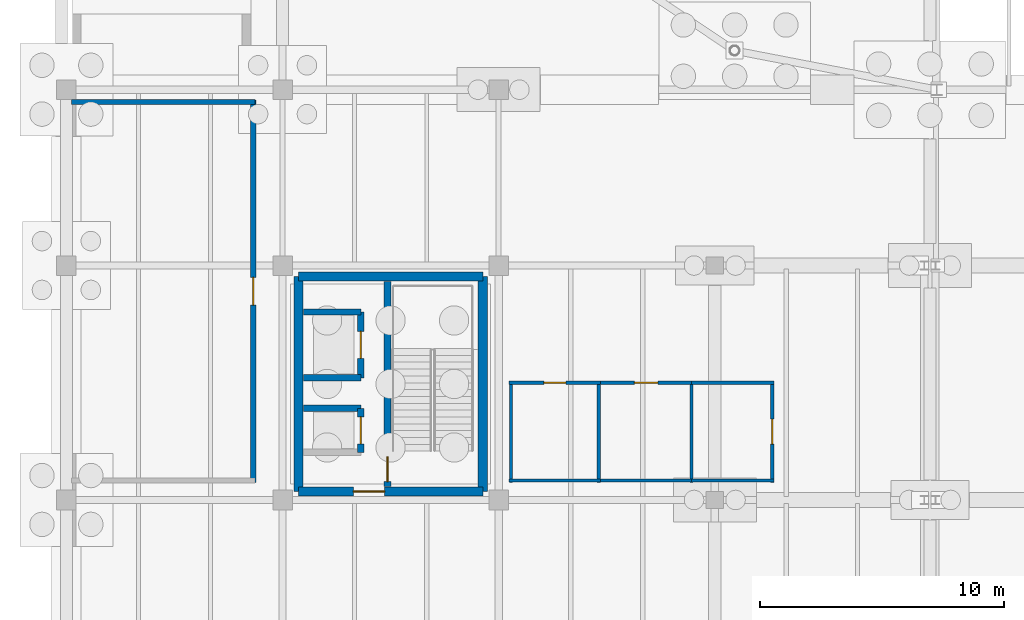
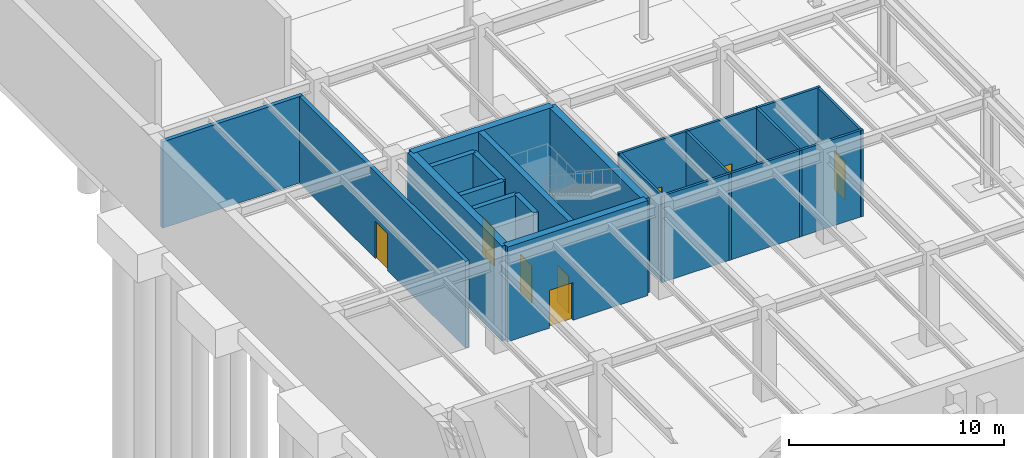
# One storey, part 41 of 50: 22 walls, 8 doors, 8 openings.
"""IFC4 building model written with IfcOpenShell, lengths in metres."""

from ifc_helpers import new_model, si_unit, direction, frame, frame_2d, origin, place, context, subcontext, project, spatial, rectangle, extrude, material, layer, layer_set, type_object, element, fill, save


model = new_model("IFC4")

# Units and contexts
model_context = context("Model", 3, precision=1e-05, world=origin(), true_north=direction((0.0, 1.0)))
body_context = subcontext(model_context, "Body", "Model", "MODEL_VIEW")
ifc_project = project(units=[si_unit("LENGTHUNIT", "METRE"), si_unit("AREAUNIT", "SQUARE_METRE"), si_unit("VOLUMEUNIT", "CUBIC_METRE"), si_unit("PLANEANGLEUNIT", "RADIAN"), si_unit("MASSUNIT", "GRAM", prefix="KILO")], contexts=[model_context])

# Site, building, storey
site_placement = place(None, origin())
site = spatial("IfcSite", under=ifc_project, at=site_placement, CompositionType="ELEMENT")
building_placement = place(site_placement, origin())
building = spatial("IfcBuilding", under=site, at=building_placement, Name="Yeouljin Market Hall", CompositionType="ELEMENT")
storey_placement = place(building_placement, frame((0.0, 0.0, -5.39990234375)))
storey = spatial("IfcBuildingStorey", under=building, at=storey_placement, Name="B1", CompositionType="ELEMENT", Elevation=-5.39990234375)

# Wall, opening, door
ifc_material_1 = material(Name="Gypsum Board Fire Partition")
ifc_layer_1 = layer(ifc_material_1, 0.2099609375)
ifc_layer_set_1 = layer_set([ifc_layer_1], Name="Gypsum Board Fire Partition")
wall_type_1 = type_object("IfcWallType", Name="Part_FireCorridor_210", PredefinedType="PARTITIONING", material=ifc_layer_set_1)
wall_1_placement = place(storey_placement, frame((7.64990234375, 19.919921875, 0.0), z_axis=(0.0, 0.0, 1.0), x_axis=(0.0, 1.0, 0.0)))
wall_1 = element("IfcWall", 1, at=wall_1_placement, inside=storey, type_object=wall_type_1, Name="Interior partition PART-B1-0023", PredefinedType="PARTITIONING", context=body_context, shape_type="SweptSolid", body=[
    extrude(rectangle(XDim=15.66015625, YDim=0.2099609375, at=frame_2d((7.830078125, 0.0))), origin(), (0.0, 0.0, 1.0), 4.919921875),
])
opening_1_placement = place(wall_1_placement, frame((7.260009765625, 0.0, 0.0)))
opening_1 = element("IfcOpeningElement", 2, at=opening_1_placement, cuts=wall_1, Name="Opening D-B1-008", PredefinedType="OPENING", context=body_context, shape_type="SweptSolid", body=[
    extrude(rectangle(XDim=1.139892578125, YDim=2.10009765625, at=frame_2d((0.56982421875, 1.050048828125))), frame((0.0, 0.114990234375, 0.0), z_axis=(0.0, -1.0, 0.0), x_axis=(1.0, 0.0, 0.0)), (0.0, 0.0, 1.0), 0.22998046875),
])
ifc_material_2 = material(Name="Painted Fire-Rated Steel", Category="steel")
door_type_1 = type_object("IfcDoorType", Name="DT-FD114", OperationType="NOTDEFINED", PredefinedType="DOOR", material=ifc_material_2)
door_1_placement = place(opening_1_placement, origin())
door_1 = element("IfcDoor", 3, at=door_1_placement, inside=storey, type_object=door_type_1, Name="Interior door D-B1-008 (Mechanical Pump and Cistern Room)", OperationType="SINGLE_SWING_RIGHT", OverallHeight=2.10009765625, OverallWidth=1.139892578125, PredefinedType="DOOR", context=body_context, shape_type="SweptSolid", body=[
    extrude(rectangle(XDim=1.139892578125, YDim=2.10009765625, at=frame_2d((0.56982421875, 1.050048828125))), frame((0.0, 0.02490234375, 0.0), z_axis=(0.0, -1.0, 0.0), x_axis=(1.0, 0.0, 0.0)), (0.0, 0.0, 1.0), 0.050048828125),
])
fill(opening_1, door_1)

# Wall
wall_2_placement = place(storey_placement, frame((7.72998046875, 35.5, 0.0), z_axis=(0.0, 0.0, 1.0), x_axis=(-1.0, 0.0, 0.0)))
element("IfcWall", 4, at=wall_2_placement, inside=storey, type_object=wall_type_1, Name="Interior partition PART-B1-0025", PredefinedType="PARTITIONING", context=body_context, shape_type="SweptSolid", body=[
    extrude(rectangle(XDim=7.530029296875, YDim=0.2099609375, at=frame_2d((3.76513671875, 0.0))), origin(), (0.0, 0.0, 1.0), 4.919921875),
])

# Wall, opening, door
ifc_material_3 = material(Name="Moisture-Resistant Gypsum Partition")
ifc_layer_2 = layer(ifc_material_3, 0.1298828125)
ifc_layer_set_2 = layer_set([ifc_layer_2], Name="Moisture-Resistant Gypsum Partition")
wall_type_2 = type_object("IfcWallType", Name="Part_Sanitary_130", PredefinedType="PARTITIONING", material=ifc_layer_set_2)
wall_3_placement = place(storey_placement, frame((21.8798828125, 24.0, 0.0), z_axis=(0.0, 0.0, 1.0), x_axis=(-1.0, 0.0, 0.0)))
wall_3 = element("IfcWall", 5, at=wall_3_placement, inside=storey, type_object=wall_type_2, Name="Interior partition PART-B1-0001", PredefinedType="PARTITIONING", context=body_context, shape_type="SweptSolid", body=[
    extrude(rectangle(XDim=3.759765625, YDim=0.1298828125, at=frame_2d((1.8798828125, 0.0))), origin(), (0.0, 0.0, 1.0), 4.919921875),
])
opening_2_placement = place(wall_3_placement, frame((1.429931640625, 0.0, 0.0)))
opening_2 = element("IfcOpeningElement", 6, at=opening_2_placement, cuts=wall_3, Name="Opening D-B1-001", PredefinedType="OPENING", context=body_context, shape_type="SweptSolid", body=[
    extrude(rectangle(XDim=0.89990234375, YDim=2.219970703125, at=frame_2d((0.449951171875, 1.10986328125))), frame((0.0, 0.074951171875, 0.0), z_axis=(0.0, -1.0, 0.0), x_axis=(1.0, 0.0, 0.0)), (0.0, 0.0, 1.0), 0.14990234375),
])
ifc_material_4 = material(Name="Acoustic Timber Veneer", Category="wood")
door_type_2 = type_object("IfcDoorType", Name="DT-ID090H", OperationType="NOTDEFINED", PredefinedType="DOOR", material=ifc_material_4)
door_2_placement = place(opening_2_placement, origin())
door_2 = element("IfcDoor", 7, at=door_2_placement, inside=storey, type_object=door_type_2, Name="Interior door D-B1-001 (Male WC)", OperationType="SINGLE_SWING_LEFT", OverallHeight=2.219970703125, OverallWidth=0.89990234375, PredefinedType="DOOR", context=body_context, shape_type="SweptSolid", body=[
    extrude(rectangle(XDim=0.89990234375, YDim=2.219970703125, at=frame_2d((0.449951171875, 1.10986328125))), frame((0.0, 0.02490234375, 0.0), z_axis=(0.0, -1.0, 0.0), x_axis=(1.0, 0.0, 0.0)), (0.0, 0.0, 1.0), 0.050048828125),
])
fill(opening_2, door_2)

# Walls
wall_4_placement = place(storey_placement, frame((18.1201171875, 20.0, 0.0), z_axis=(0.0, 0.0, 1.0), x_axis=(1.0, 0.0, 0.0)))
element("IfcWall", 8, at=wall_4_placement, inside=storey, type_object=wall_type_2, Name="Interior partition PART-B1-0002", PredefinedType="PARTITIONING", context=body_context, shape_type="SweptSolid", body=[
    extrude(rectangle(XDim=3.759765625, YDim=0.1298828125, at=frame_2d((1.8798828125, 0.0))), origin(), (0.0, 0.0, 1.0), 4.919921875),
])
for number, where, z_axis, x_axis, name in (
    (9, (21.800048828125, 19.919921875, 0.0), (0.0, 0.0, 1.0), (0.0, 1.0, 0.0), "Interior partition PART-B1-0003"),
    (10, (18.199951171875, 24.080078125, 0.0), (0.0, 0.0, 1.0), (0.0, -1.0, 0.0), "Interior partition PART-B1-0004"),
):
    element("IfcWall", number, at=place(storey_placement, frame(where, z_axis=z_axis, x_axis=x_axis)), inside=storey, type_object=wall_type_2, Name=name, PredefinedType="PARTITIONING", context=body_context, shape_type="SweptSolid", body=[
        extrude(rectangle(XDim=4.16015625, YDim=0.1298828125, at=frame_2d((2.080078125, 0.0))), origin(), (0.0, 0.0, 1.0), 4.919921875),
    ])

# Wall, opening, door
wall_5_placement = place(storey_placement, frame((25.679931640625, 24.0, 0.0), z_axis=(0.0, 0.0, 1.0), x_axis=(-1.0, 0.0, 0.0)))
wall_5 = element("IfcWall", 11, at=wall_5_placement, inside=storey, type_object=wall_type_2, Name="Interior partition PART-B1-0005", PredefinedType="PARTITIONING", context=body_context, shape_type="SweptSolid", body=[
    extrude(rectangle(XDim=3.8798828125, YDim=0.1298828125, at=frame_2d((1.93994140625, 0.0))), origin(), (0.0, 0.0, 1.0), 4.919921875),
])
opening_3_placement = place(wall_5_placement, frame((1.4599609375, 0.0, 0.0)))
opening_3 = element("IfcOpeningElement", 12, at=opening_3_placement, cuts=wall_5, Name="Opening D-B1-002", PredefinedType="OPENING", context=body_context, shape_type="SweptSolid", body=[
    extrude(rectangle(XDim=0.9599609375, YDim=2.219970703125, at=frame_2d((0.47998046875, 1.10986328125))), frame((0.0, 0.074951171875, 0.0), z_axis=(0.0, -1.0, 0.0), x_axis=(1.0, 0.0, 0.0)), (0.0, 0.0, 1.0), 0.14990234375),
])
ifc_material_5 = material(Name="Acoustic Timber Veneer", Category="wood")
door_type_3 = type_object("IfcDoorType", Name="DT-ID096H", OperationType="NOTDEFINED", PredefinedType="DOOR", material=ifc_material_5)
door_3_placement = place(opening_3_placement, origin())
door_3 = element("IfcDoor", 13, at=door_3_placement, inside=storey, type_object=door_type_3, Name="Interior door D-B1-002 (Female WC)", OperationType="SINGLE_SWING_RIGHT", OverallHeight=2.219970703125, OverallWidth=0.9599609375, PredefinedType="DOOR", context=body_context, shape_type="SweptSolid", body=[
    extrude(rectangle(XDim=0.9599609375, YDim=2.219970703125, at=frame_2d((0.47998046875, 1.10986328125))), frame((0.0, 0.02490234375, 0.0), z_axis=(0.0, -1.0, 0.0), x_axis=(1.0, 0.0, 0.0)), (0.0, 0.0, 1.0), 0.050048828125),
])
fill(opening_3, door_3)

# Walls
wall_6_placement = place(storey_placement, frame((21.800048828125, 20.0, 0.0), z_axis=(0.0, 0.0, 1.0), x_axis=(1.0, 0.0, 0.0)))
element("IfcWall", 14, at=wall_6_placement, inside=storey, type_object=wall_type_2, Name="Interior partition PART-B1-0006", PredefinedType="PARTITIONING", context=body_context, shape_type="SweptSolid", body=[
    extrude(rectangle(XDim=3.8798828125, YDim=0.1298828125, at=frame_2d((1.93994140625, 0.0))), origin(), (0.0, 0.0, 1.0), 4.919921875),
])
wall_7_placement = place(storey_placement, frame((25.60009765625, 19.919921875, 0.0), z_axis=(0.0, 0.0, 1.0), x_axis=(0.0, 1.0, 0.0)))
element("IfcWall", 15, at=wall_7_placement, inside=storey, type_object=wall_type_2, Name="Interior partition PART-B1-0007", PredefinedType="PARTITIONING", context=body_context, shape_type="SweptSolid", body=[
    extrude(rectangle(XDim=4.16015625, YDim=0.1298828125, at=frame_2d((2.080078125, 0.0))), origin(), (0.0, 0.0, 1.0), 4.919921875),
])

# Wall, opening, door
wall_8_placement = place(storey_placement, frame((28.89990234375, 19.919921875, 0.0), z_axis=(0.0, 0.0, 1.0), x_axis=(0.0, 1.0, 0.0)))
wall_8 = element("IfcWall", 16, at=wall_8_placement, inside=storey, type_object=wall_type_2, Name="Interior partition PART-B1-0008", PredefinedType="PARTITIONING", context=body_context, shape_type="SweptSolid", body=[
    extrude(rectangle(XDim=4.16015625, YDim=0.1298828125, at=frame_2d((2.080078125, 0.0))), origin(), (0.0, 0.0, 1.0), 4.919921875),
])
opening_4_placement = place(wall_8_placement, frame((1.570068359375, 0.0, 0.0)))
opening_4 = element("IfcOpeningElement", 17, at=opening_4_placement, cuts=wall_8, Name="Opening D-B1-003", PredefinedType="OPENING", context=body_context, shape_type="SweptSolid", body=[
    extrude(rectangle(XDim=1.02001953125, YDim=2.219970703125, at=frame_2d((0.510009765625, 1.10986328125))), frame((0.0, 0.074951171875, 0.0), z_axis=(0.0, -1.0, 0.0), x_axis=(1.0, 0.0, 0.0)), (0.0, 0.0, 1.0), 0.14990234375),
])
ifc_material_6 = material(Name="Acoustic Timber Veneer", Category="wood")
door_type_4 = type_object("IfcDoorType", Name="DT-ID102H", OperationType="NOTDEFINED", PredefinedType="DOOR", material=ifc_material_6)
door_4_placement = place(opening_4_placement, origin())
door_4 = element("IfcDoor", 18, at=door_4_placement, inside=storey, type_object=door_type_4, Name="Interior door D-B1-003 (Accessible WC)", OperationType="SINGLE_SWING_LEFT", OverallHeight=2.219970703125, OverallWidth=1.02001953125, PredefinedType="DOOR", context=body_context, shape_type="SweptSolid", body=[
    extrude(rectangle(XDim=1.02001953125, YDim=2.219970703125, at=frame_2d((0.510009765625, 1.10986328125))), frame((0.0, 0.02490234375, 0.0), z_axis=(0.0, -1.0, 0.0), x_axis=(1.0, 0.0, 0.0)), (0.0, 0.0, 1.0), 0.050048828125),
])
fill(opening_4, door_4)

# Walls
for number, where, z_axis, x_axis, name in (
    (19, (28.97998046875, 24.0, 0.0), (0.0, 0.0, 1.0), (-1.0, 0.0, 0.0), "Interior partition PART-B1-0009"),
    (20, (25.60009765625, 20.0, 0.0), (0.0, 0.0, 1.0), (1.0, 0.0, 0.0), "Interior partition PART-B1-0010"),
):
    element("IfcWall", number, at=place(storey_placement, frame(where, z_axis=z_axis, x_axis=x_axis)), inside=storey, type_object=wall_type_2, Name=name, PredefinedType="PARTITIONING", context=body_context, shape_type="SweptSolid", body=[
        extrude(rectangle(XDim=3.3798828125, YDim=0.1298828125, at=frame_2d((1.68994140625, 0.0))), origin(), (0.0, 0.0, 1.0), 4.919921875),
    ])

# Wall, opening, door
ifc_material_7 = material(Name="Concrete C35/45", Category="concrete")
ifc_layer_3 = layer(ifc_material_7, 0.260009765625)
ifc_layer_set_3 = layer_set([ifc_layer_3], Name="Concrete C35/45")
wall_type_3 = type_object("IfcWallType", Name="Wall_Compartment_260", PredefinedType="SHEAR", material=ifc_layer_set_3)
wall_9_placement = place(storey_placement, frame((12.054931640625, 21.14990234375, 0.0), z_axis=(0.0, 0.0, 1.0), x_axis=(0.0, 1.0, 0.0)))
wall_9 = element("IfcWall", 21, at=wall_9_placement, inside=storey, type_object=wall_type_3, Name="Lift LP-01 hoistway front wall (B1)", PredefinedType="SHEAR", context=body_context, shape_type="SweptSolid", body=[
    extrude(rectangle(XDim=1.800048828125, YDim=0.260009765625, at=frame_2d((0.89990234375, 0.0))), origin(), (0.0, 0.0, 1.0), 5.39990234375),
])
opening_5_placement = place(wall_9_placement, frame((0.35009765625, 0.0, 0.0)))
opening_5 = element("IfcOpeningElement", 22, at=opening_5_placement, cuts=wall_9, Name="Opening LD-LP-01-B1", PredefinedType="OPENING", context=body_context, shape_type="SweptSolid", body=[
    extrude(rectangle(XDim=1.10009765625, YDim=2.14990234375, at=frame_2d((0.550048828125, 1.074951171875))), frame((0.0, 0.139892578125, 0.0), z_axis=(0.0, -1.0, 0.0), x_axis=(1.0, 0.0, 0.0)), (0.0, 0.0, 1.0), 0.280029296875),
])
ifc_material_8 = material(Name="Brushed Stainless Steel", Category="steel")
door_type_5 = type_object("IfcDoorType", Name="LD-110", OperationType="SLIDING_TO_LEFT", PredefinedType="DOOR", material=ifc_material_8)
door_5_placement = place(opening_5_placement, origin())
door_5 = element("IfcDoor", 23, at=door_5_placement, inside=storey, type_object=door_type_5, Name="Lift landing sliding door LD-LP-01-B1", OperationType="SLIDING_TO_LEFT", OverallHeight=2.14990234375, OverallWidth=1.10009765625, PredefinedType="DOOR", context=body_context, shape_type="SweptSolid", body=[
    extrude(rectangle(XDim=1.10009765625, YDim=2.14990234375, at=frame_2d((0.550048828125, 1.074951171875))), frame((0.0, 0.02490234375, 0.0), z_axis=(0.0, -1.0, 0.0), x_axis=(1.0, 0.0, 0.0)), (0.0, 0.0, 1.0), 0.050048828125),
])
fill(opening_5, door_5)

# Wall
wall_10_placement = place(storey_placement, frame((9.699951171875, 22.949951171875, 0.0), z_axis=(0.0, 0.0, 1.0), x_axis=(1.0, 0.0, 0.0)))
element("IfcWall", 24, at=wall_10_placement, inside=storey, type_object=wall_type_3, Name="Lift LP-01 shaft cheek wall N (B1)", PredefinedType="SHEAR", context=body_context, shape_type="SweptSolid", body=[
    extrude(rectangle(XDim=2.35498046875, YDim=0.260009765625, at=frame_2d((1.177490234375, 0.0))), origin(), (0.0, 0.0, 1.0), 5.39990234375),
])

# Wall, opening, door
wall_11_placement = place(storey_placement, frame((12.054931640625, 24.199951171875, 0.0), z_axis=(0.0, 0.0, 1.0), x_axis=(0.0, 1.0, 0.0)))
wall_11 = element("IfcWall", 25, at=wall_11_placement, inside=storey, type_object=wall_type_3, Name="Lift LS-01 hoistway front wall (B1)", PredefinedType="SHEAR", context=body_context, shape_type="SweptSolid", body=[
    extrude(rectangle(XDim=2.699951171875, YDim=0.260009765625, at=frame_2d((1.35009765625, 0.0))), origin(), (0.0, 0.0, 1.0), 5.39990234375),
])
opening_6_placement = place(wall_11_placement, frame((0.800048828125, 0.0, 0.0)))
opening_6 = element("IfcOpeningElement", 26, at=opening_6_placement, cuts=wall_11, Name="Opening LD-LS-01-B1", PredefinedType="OPENING", context=body_context, shape_type="SweptSolid", body=[
    extrude(rectangle(XDim=1.10009765625, YDim=2.14990234375, at=frame_2d((0.550048828125, 1.074951171875))), frame((0.0, 0.139892578125, 0.0), z_axis=(0.0, -1.0, 0.0), x_axis=(1.0, 0.0, 0.0)), (0.0, 0.0, 1.0), 0.280029296875),
])
door_6_placement = place(opening_6_placement, origin())
door_6 = element("IfcDoor", 27, at=door_6_placement, inside=storey, type_object=door_type_5, Name="Lift landing sliding door LD-LS-01-B1", OperationType="SLIDING_TO_LEFT", OverallHeight=2.14990234375, OverallWidth=1.10009765625, PredefinedType="DOOR", context=body_context, shape_type="SweptSolid", body=[
    extrude(rectangle(XDim=1.10009765625, YDim=2.14990234375, at=frame_2d((0.550048828125, 1.074951171875))), frame((0.0, 0.02490234375, 0.0), z_axis=(0.0, -1.0, 0.0), x_axis=(1.0, 0.0, 0.0)), (0.0, 0.0, 1.0), 0.050048828125),
])
fill(opening_6, door_6)

# Walls
for number, where, z_axis, x_axis, name in (
    (28, (9.699951171875, 24.199951171875, 0.0), (0.0, 0.0, 1.0), (1.0, 0.0, 0.0), "Lift LS-01 shaft cheek wall S (B1)"),
    (29, (9.699951171875, 26.89990234375, 0.0), (0.0, 0.0, 1.0), (1.0, 0.0, 0.0), "Lift LS-01 shaft cheek wall N (B1)"),
):
    element("IfcWall", number, at=place(storey_placement, frame(where, z_axis=z_axis, x_axis=x_axis)), inside=storey, type_object=wall_type_3, Name=name, PredefinedType="SHEAR", context=body_context, shape_type="SweptSolid", body=[
        extrude(rectangle(XDim=2.35498046875, YDim=0.260009765625, at=frame_2d((1.177490234375, 0.0))), origin(), (0.0, 0.0, 1.0), 5.39990234375),
    ])

# Wall, opening, door
ifc_material_9 = material(Name="Concrete C35/45", Category="concrete")
ifc_layer_4 = layer(ifc_material_9, 0.3798828125)
ifc_layer_set_4 = layer_set([ifc_layer_4], Name="Concrete C35/45")
wall_type_4 = type_object("IfcWallType", Name="Wall_CoreShear_380", PredefinedType="SHEAR", material=ifc_layer_set_4)
wall_12_placement = place(storey_placement, frame((9.5, 19.550048828125, 0.0), z_axis=(0.0, 0.0, 1.0), x_axis=(1.0, 0.0, 0.0)))
wall_12 = element("IfcWall", 30, at=wall_12_placement, inside=storey, type_object=wall_type_4, Name="Core C1 south shear wall (B1)", PredefinedType="SHEAR", context=body_context, shape_type="SweptSolid", body=[
    extrude(rectangle(XDim=7.550048828125, YDim=0.3798828125, at=frame_2d((3.77490234375, 0.0))), origin(), (0.0, 0.0, 1.0), 5.39990234375),
])
opening_7_placement = place(wall_12_placement, frame((2.25, 0.0, 0.0)))
opening_7 = element("IfcOpeningElement", 31, at=opening_7_placement, cuts=wall_12, Name="Opening FD-C1-B1-01", PredefinedType="OPENING", context=body_context, shape_type="SweptSolid", body=[
    extrude(rectangle(XDim=1.280029296875, YDim=2.14990234375, at=frame_2d((0.64013671875, 1.074951171875))), frame((0.0, 0.199951171875, 0.0), z_axis=(0.0, -1.0, 0.0), x_axis=(1.0, 0.0, 0.0)), (0.0, 0.0, 1.0), 0.39990234375),
])
ifc_material_10 = material(Name="Painted Fire-Rated Steel", Category="steel")
door_type_6 = type_object("IfcDoorType", Name="DT-FD128", OperationType="NOTDEFINED", PredefinedType="DOOR", material=ifc_material_10)
door_7_placement = place(opening_7_placement, origin())
door_7 = element("IfcDoor", 32, at=door_7_placement, inside=storey, type_object=door_type_6, Name="Core C1 lobby fire door (B1)", OperationType="SINGLE_SWING_LEFT", OverallHeight=2.14990234375, OverallWidth=1.280029296875, PredefinedType="DOOR", context=body_context, shape_type="SweptSolid", body=[
    extrude(rectangle(XDim=1.280029296875, YDim=2.14990234375, at=frame_2d((0.64013671875, 1.074951171875))), frame((0.0, 0.02490234375, 0.0), z_axis=(0.0, -1.0, 0.0), x_axis=(1.0, 0.0, 0.0)), (0.0, 0.0, 1.0), 0.050048828125),
])
fill(opening_7, door_7)

# Walls
wall_13_placement = place(storey_placement, frame((17.050048828125, 28.35009765625, 0.0), z_axis=(0.0, 0.0, 1.0), x_axis=(-1.0, 0.0, 0.0)))
element("IfcWall", 33, at=wall_13_placement, inside=storey, type_object=wall_type_4, Name="Core C1 north shear wall (B1)", PredefinedType="SHEAR", context=body_context, shape_type="SweptSolid", body=[
    extrude(rectangle(XDim=7.550048828125, YDim=0.3798828125, at=frame_2d((3.77490234375, 0.0))), origin(), (0.0, 0.0, 1.0), 5.39990234375),
])
for number, where, z_axis, x_axis, name in (
    (34, (9.5, 28.35009765625, 0.0), (0.0, 0.0, 1.0), (0.0, -1.0, 0.0), "Core C1 west shear wall (B1)"),
    (35, (17.050048828125, 19.550048828125, 0.0), (0.0, 0.0, 1.0), (0.0, 1.0, 0.0), "Core C1 east shear wall (B1)"),
):
    element("IfcWall", number, at=place(storey_placement, frame(where, z_axis=z_axis, x_axis=x_axis)), inside=storey, type_object=wall_type_4, Name=name, PredefinedType="SHEAR", context=body_context, shape_type="SweptSolid", body=[
        extrude(rectangle(XDim=8.800048828125, YDim=0.3798828125, at=frame_2d((4.39990234375, 0.0))), origin(), (0.0, 0.0, 1.0), 5.39990234375),
    ])

# Wall, opening, door
ifc_material_11 = material(Name="Concrete C35/45", Category="concrete")
ifc_layer_5 = layer(ifc_material_11, 0.300048828125)
ifc_layer_set_5 = layer_set([ifc_layer_5], Name="Concrete C35/45")
wall_type_5 = type_object("IfcWallType", Name="Wall_ShaftShear_300", PredefinedType="SHEAR", material=ifc_layer_set_5)
wall_14_placement = place(storey_placement, frame((13.14990234375, 19.75, 0.0), z_axis=(0.0, 0.0, 1.0), x_axis=(0.0, 1.0, 0.0)))
wall_14 = element("IfcWall", 36, at=wall_14_placement, inside=storey, type_object=wall_type_5, Name="Core C1 stairwell divider wall (B1)", PredefinedType="SHEAR", context=body_context, shape_type="SweptSolid", body=[
    extrude(rectangle(XDim=8.39990234375, YDim=0.300048828125, at=frame_2d((4.199951171875, 0.0))), origin(), (0.0, 0.0, 1.0), 5.39990234375),
])
opening_8_placement = place(wall_14_placement, frame((0.199951171875, 0.0, 0.0)))
opening_8 = element("IfcOpeningElement", 37, at=opening_8_placement, cuts=wall_14, Name="Opening SD-C1-B1", PredefinedType="OPENING", context=body_context, shape_type="SweptSolid", body=[
    extrude(rectangle(XDim=1.02001953125, YDim=2.10009765625, at=frame_2d((0.510009765625, 1.050048828125))), frame((0.0, 0.159912109375, 0.0), z_axis=(0.0, -1.0, 0.0), x_axis=(1.0, 0.0, 0.0)), (0.0, 0.0, 1.0), 0.320068359375),
])
ifc_material_12 = material(Name="Painted Fire-Rated Steel", Category="steel")
door_type_7 = type_object("IfcDoorType", Name="DT-FD102", OperationType="NOTDEFINED", PredefinedType="DOOR", material=ifc_material_12)
door_8_placement = place(opening_8_placement, origin())
door_8 = element("IfcDoor", 38, at=door_8_placement, inside=storey, type_object=door_type_7, Name="Core C1 exit stair door (B1)", OperationType="SINGLE_SWING_RIGHT", OverallHeight=2.10009765625, OverallWidth=1.02001953125, PredefinedType="DOOR", context=body_context, shape_type="SweptSolid", body=[
    extrude(rectangle(XDim=1.02001953125, YDim=2.10009765625, at=frame_2d((0.510009765625, 1.050048828125))), frame((0.0, 0.02490234375, 0.0), z_axis=(0.0, -1.0, 0.0), x_axis=(1.0, 0.0, 0.0)), (0.0, 0.0, 1.0), 0.050048828125),
])
fill(opening_8, door_8)

save(model, "model.ifc")
